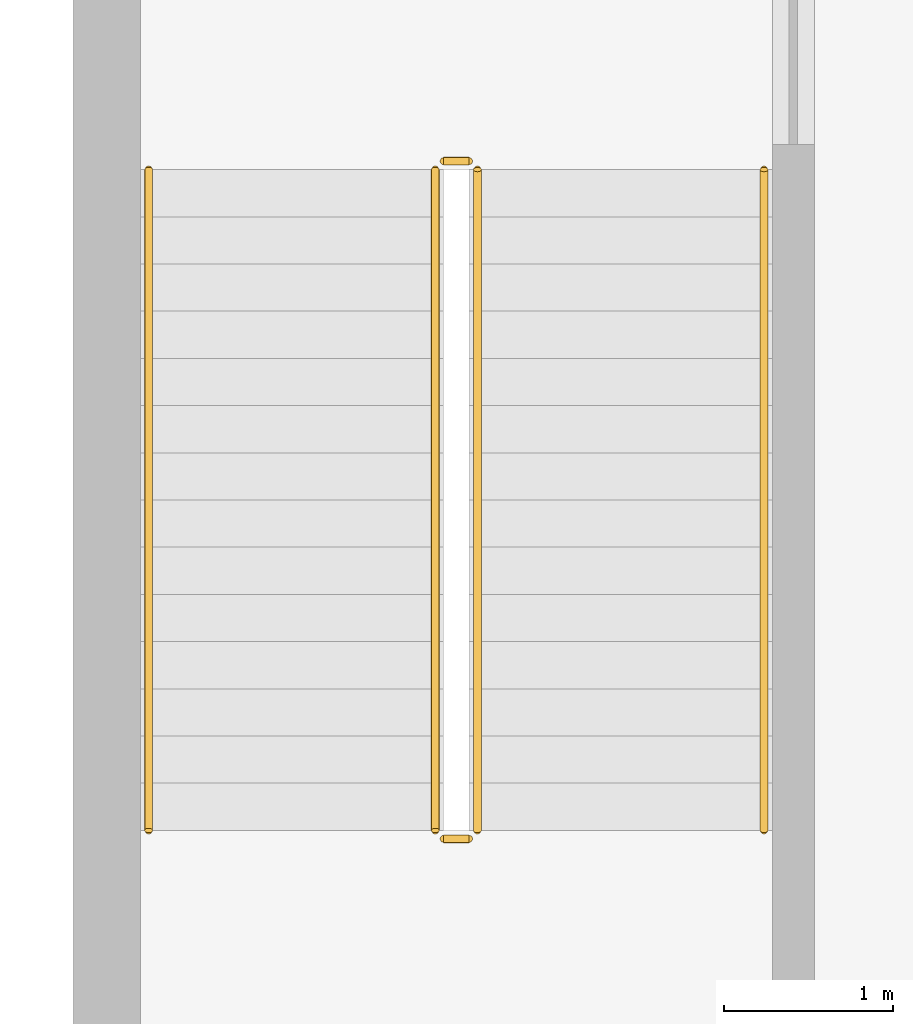
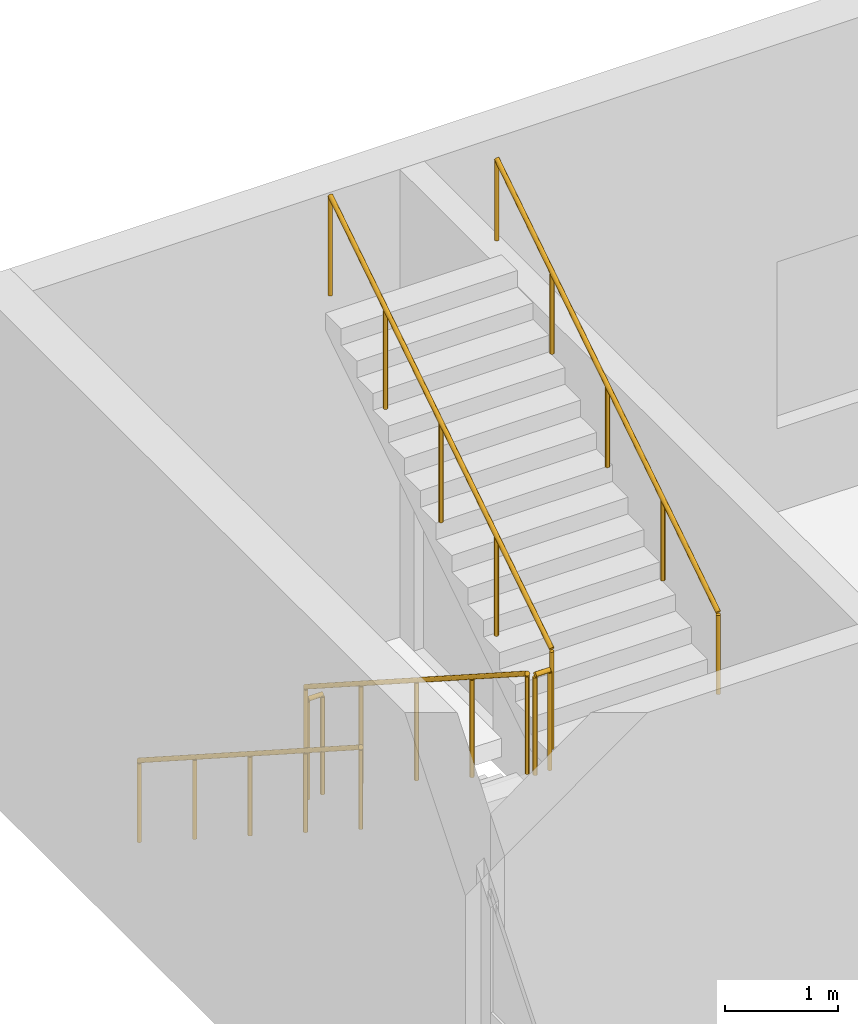
# One storey, part 43 of 44: 6 railings.
"""IFC4 building model written with IfcOpenShell, lengths in metres."""

import ifcopenshell
import ifcopenshell.guid

model = None  # the IFC model being written
_history = None  # IfcOwnerHistory: only IFC2X3 demands one
_inside = {}  # id of a spatial element -> (the spatial element, [elements in it])
_under = {}  # id of a project, library or spatial element -> (it, [spatial elements below it])
_declared = {}  # id of a project -> (the project, [libraries it declares])
_typed = {}  # id of a type object -> (the type object, [elements of that type])
_made_of = {}  # id of a material, layer set ... -> (it, [elements and type objects made of it])


def new_model(schema):
    """Start an empty IFC model of exactly this schema.

    Asked for "IFC4X3", IfcOpenShell would pick the latest addendum, in which some entities
    have other attributes; the version numbers below select the first issue.
    IFC2X3 requires an IfcOwnerHistory on every rooted entity: one is made here for all.
    """
    global model, _history
    if schema == "IFC4X3":
        model = ifcopenshell.file(schema_version=(4, 3, 0, 0))
    else:
        model = ifcopenshell.file(schema=schema)
    _inside.clear()
    _under.clear()
    _declared.clear()
    _typed.clear()
    _made_of.clear()
    _history = None
    if model.schema == "IFC2X3":
        org = make("IfcOrganization", Name="unknown")
        user = make(
            "IfcPersonAndOrganization",
            ThePerson=make("IfcPerson", FamilyName="unknown"),
            TheOrganization=org,
        )
        app = make(
            "IfcApplication",
            ApplicationDeveloper=org,
            Version="unknown",
            ApplicationFullName="unknown",
            ApplicationIdentifier="unknown",
        )
        _history = make(
            "IfcOwnerHistory",
            OwningUser=user,
            OwningApplication=app,
            ChangeAction="ADDED",
            CreationDate=0,
        )
    return model


def make(cls, **values):
    """One entity of the class cls with the attributes given. An attribute that is None is left unset."""
    return model.create_entity(
        cls, **{name: value for name, value in values.items() if value is not None}
    )


def rooted(cls, **values):
    """An entity with a GlobalId (a new one), such as an element, a storey or a relation."""
    return make(cls, GlobalId=ifcopenshell.guid.new(), OwnerHistory=_history, **values)


def si_unit(unit_type, name, prefix=None):
    """IfcSIUnit, for example si_unit("LENGTHUNIT", "METRE", prefix="MILLI")."""
    return make("IfcSIUnit", UnitType=unit_type, Prefix=prefix, Name=name)


def assignment(units):
    """IfcUnitAssignment: the units of a project."""
    return None if units is None else make("IfcUnitAssignment", Units=units)


def point(xyz):
    """IfcCartesianPoint."""
    return None if xyz is None else make("IfcCartesianPoint", Coordinates=xyz)


def direction(xyz):
    """IfcDirection."""
    return None if xyz is None else make("IfcDirection", DirectionRatios=xyz)


def frame(location, z_axis=None, x_axis=None):
    """IfcAxis2Placement3D, a coordinate frame: its origin and axes. An axis left out is left unset."""
    return make(
        "IfcAxis2Placement3D",
        Location=point(location),
        Axis=direction(z_axis),
        RefDirection=direction(x_axis),
    )


def frame_2d(location, x_axis=None):
    """IfcAxis2Placement2D, a coordinate frame in the plane: its origin and x axis."""
    return make(
        "IfcAxis2Placement2D", Location=point(location), RefDirection=direction(x_axis)
    )


def origin():
    """The frame at (0, 0, 0) with its axes left unset."""
    return frame((0.0, 0.0, 0.0))


def origin_2d():
    """The frame at (0, 0) in the plane with its x axis left unset."""
    return frame_2d((0.0, 0.0))


def place(relative_to, where):
    """IfcLocalPlacement: puts the frame where relative to a parent placement (None: the world)."""
    return make(
        "IfcLocalPlacement", PlacementRelTo=relative_to, RelativePlacement=where
    )


def context(
    kind, dimensions, precision=None, world=None, true_north=None, identifier=None
):
    """IfcGeometricRepresentationContext, for example the 3D "Model" context."""
    return make(
        "IfcGeometricRepresentationContext",
        ContextIdentifier=identifier,
        ContextType=kind,
        CoordinateSpaceDimension=dimensions,
        Precision=precision,
        WorldCoordinateSystem=world,
        TrueNorth=true_north,
    )


def subcontext(parent, identifier, kind, view, scale=None):
    """IfcGeometricRepresentationSubContext, for example "Body" below "Model"."""
    return make(
        "IfcGeometricRepresentationSubContext",
        ContextIdentifier=identifier,
        ContextType=kind,
        ParentContext=parent,
        TargetScale=scale,
        TargetView=view,
    )


def project(units=None, contexts=None):
    """IfcProject with its units and contexts."""
    return rooted(
        "IfcProject",
        Name="project",
        RepresentationContexts=contexts,
        UnitsInContext=assignment(units),
    )


def spatial(cls, under=None, at=None, **own):
    """A site, building, storey or space (cls), placed at a placement, below another one or the project."""
    s = rooted(cls, ObjectPlacement=at, **own)
    if under is not None:
        _under.setdefault(under.id(), (under, []))[1].append(s)
    return s


def profile(cls, at=None, kind="AREA", **sizes):
    """A parametric profile (cls). Its sizes go by their IFC names, for example OverallWidth=200.0."""
    return make(cls, ProfileType=kind, Position=at, **sizes)


def circle(**sizes):
    """IfcCircleProfileDef."""
    return profile("IfcCircleProfileDef", **sizes)


def extrude(swept, where, along, depth):
    """IfcExtrudedAreaSolid: the profile swept, set in the frame where, extruded along a direction by depth."""
    return make(
        "IfcExtrudedAreaSolid",
        SweptArea=swept,
        Position=where,
        ExtrudedDirection=direction(along),
        Depth=depth,
    )


def shape(context_of_items, identifier, shape_type, items):
    """IfcShapeRepresentation: the items that make up one representation, for example the "Body"."""
    return make(
        "IfcShapeRepresentation",
        ContextOfItems=context_of_items,
        RepresentationIdentifier=identifier,
        RepresentationType=shape_type,
        Items=items,
    )


def material(Name=None, Category=None):
    """IfcMaterial."""
    return make("IfcMaterial", Name=Name, Category=Category)


def made_of(thing, what):
    """Note that an element or type object is made of a material, layer set ...; save() writes the relation."""
    if what is not None:
        _made_of.setdefault(what.id(), (what, []))[1].append(thing)
    return thing


def type_object(cls, material=None, **own):
    """A type object (cls), such as IfcWallType, which elements share."""
    return made_of(rooted(cls, **own), material)


def element(
    cls,
    number,
    at=None,
    inside=None,
    cuts=None,
    type_object=None,
    material=None,
    context=None,
    identifier="Body",
    shape_type=None,
    held_by="IfcProductDefinitionShape",
    body=None,
    shapes=None,
    **own,
):
    """One element of the class cls, such as IfcWall. Its Tag is "e" and its number.

    at: its placement. inside: the storey or other place that contains it. cuts: it is an
    opening in that element (IfcRelVoidsElement). A single representation is given by context,
    identifier, shape_type and body (its items); several are given by shapes. held_by: the class
    of the entity that holds the representations. save() writes the other relations.
    """
    e = rooted(cls, Tag="e%d" % number, ObjectPlacement=at, **own)
    if body is not None:
        shapes = [shape(context, identifier, shape_type, body)]
    if shapes is not None:
        e.Representation = make(held_by, Representations=shapes)
    if inside is not None:
        _inside.setdefault(inside.id(), (inside, []))[1].append(e)
    if cuts is not None:
        rooted(
            "IfcRelVoidsElement", RelatingBuildingElement=cuts, RelatedOpeningElement=e
        )
    if type_object is not None:
        _typed.setdefault(type_object.id(), (type_object, []))[1].append(e)
    return made_of(e, material)


def aggregate(whole, parts):
    """IfcRelAggregates: a whole, such as a stair, and the parts it consists of."""
    return rooted("IfcRelAggregates", RelatingObject=whole, RelatedObjects=parts)


def save(model, path):
    """Write the relations noted so far, then the file.

    IfcRelAggregates (storeys below a building ...), IfcRelContainedInSpatialStructure (elements
    in a storey), IfcRelDefinesByType, IfcRelAssociatesMaterial and IfcRelDeclares: one each for
    every whole, place, type object, material and project.
    """
    for whole, parts in _under.values():
        aggregate(whole, parts)
    for where, things in _inside.values():
        rooted(
            "IfcRelContainedInSpatialStructure",
            RelatedElements=things,
            RelatingStructure=where,
        )
    for kind, things in _typed.values():
        rooted("IfcRelDefinesByType", RelatedObjects=things, RelatingType=kind)
    for what, things in _made_of.values():
        rooted("IfcRelAssociatesMaterial", RelatedObjects=things, RelatingMaterial=what)
    for by, libraries in _declared.values():
        rooted("IfcRelDeclares", RelatingContext=by, RelatedDefinitions=libraries)
    model.write(path)


model = new_model("IFC4")

# Units and contexts
model_context = context("Model", 3, precision=1e-05, world=origin(), true_north=direction((0.0, 1.0)))
body_context = subcontext(model_context, "Body", "Model", "MODEL_VIEW")
ifc_project = project(units=[si_unit("LENGTHUNIT", "METRE"), si_unit("AREAUNIT", "SQUARE_METRE"), si_unit("VOLUMEUNIT", "CUBIC_METRE"), si_unit("PLANEANGLEUNIT", "RADIAN"), si_unit("MASSUNIT", "GRAM", prefix="KILO")], contexts=[model_context])

# Site, building, storey
site_placement = place(None, origin())
site = spatial("IfcSite", under=ifc_project, at=site_placement, CompositionType="ELEMENT")
building_placement = place(site_placement, origin())
building = spatial("IfcBuilding", under=site, at=building_placement, Name="Hunhe Ridgeline Campus", CompositionType="ELEMENT")
storey_placement = place(building_placement, frame((0.0, 0.0, 6.0)))
storey = spatial("IfcBuildingStorey", under=building, at=storey_placement, Name="L01", CompositionType="ELEMENT", Elevation=6.0)

# Railings
ifc_material = material(Name="Steel Q235", Category="steel")
railing_type_1 = type_object("IfcRailingType", Name="Hall stair guard 1100", PredefinedType="GUARDRAIL", material=ifc_material)
railing_1_placement = place(storey_placement, frame((152.14990234375, 74.300048828125, 0.179931640625)))
element("IfcRailing", 1, at=railing_1_placement, inside=storey, type_object=railing_type_1, Name="L01 HS2 stair guard 1", PredefinedType="GUARDRAIL", context=body_context, shape_type="SweptSolid", body=[
    extrude(circle(Radius=0.02392578125, at=origin_2d()), frame((0.0, 0.0, 1.076171875), z_axis=(0.0, -0.841186985886, 0.540744352514), x_axis=(1.0, 0.0, 0.0)), (0.0, 0.0, 1.0), 4.660400390625),
    extrude(circle(Radius=0.02099609375, at=origin_2d()), origin(), (0.0, 0.0, 1.0), 1.052001953125),
    extrude(circle(Radius=0.02099609375, at=origin_2d()), frame((0.0, -0.97998046875, 0.6298828125)), (0.0, 0.0, 1.0), 1.052001953125),
    extrude(circle(Radius=0.02099609375, at=origin_2d()), frame((0.0, -1.9599609375, 1.260009765625)), (0.0, 0.0, 1.0), 1.052001953125),
    extrude(circle(Radius=0.02099609375, at=origin_2d()), frame((0.0, -2.940185546875, 1.89013671875)), (0.0, 0.0, 1.0), 1.052001953125),
    extrude(circle(Radius=0.02099609375, at=origin_2d()), frame((0.0, -3.920166015625, 2.52001953125)), (0.0, 0.0, 1.0), 1.052001953125),
])
railing_2_placement = place(storey_placement, frame((152.199951171875, 70.330078125, 2.699951171875)))
element("IfcRailing", 2, at=railing_2_placement, inside=storey, type_object=railing_type_1, Name="L01 HS2 stair guard 2", PredefinedType="GUARDRAIL", context=body_context, shape_type="SweptSolid", body=[
    extrude(circle(Radius=0.02392578125, at=origin_2d()), frame((0.0, 0.0, 1.076171875), z_axis=(1.0, 0.0, 0.0), x_axis=(0.0, 1.0, 0.0)), (0.0, 0.0, 1.0), 0.150146484375),
    extrude(circle(Radius=0.02099609375, at=origin_2d()), origin(), (0.0, 0.0, 1.0), 1.052001953125),
    extrude(circle(Radius=0.02099609375, at=origin_2d()), frame((0.150146484375, 0.0, 0.0)), (0.0, 0.0, 1.0), 1.052001953125),
])
railing_3_placement = place(storey_placement, frame((152.39990234375, 70.3798828125, 2.8798828125)))
element("IfcRailing", 3, at=railing_3_placement, inside=storey, type_object=railing_type_1, Name="L01 HS2 stair guard 3", PredefinedType="GUARDRAIL", context=body_context, shape_type="SweptSolid", body=[
    extrude(circle(Radius=0.02392578125, at=origin_2d()), frame((0.0, 0.0, 1.076171875), z_axis=(0.0, 0.841186985886, 0.540744352514), x_axis=(-1.0, 0.0, 0.0)), (0.0, 0.0, 1.0), 4.660400390625),
    extrude(circle(Radius=0.02099609375, at=origin_2d()), origin(), (0.0, 0.0, 1.0), 1.052001953125),
    extrude(circle(Radius=0.02099609375, at=origin_2d()), frame((0.0, 0.97998046875, 0.6298828125)), (0.0, 0.0, 1.0), 1.052001953125),
    extrude(circle(Radius=0.02099609375, at=origin_2d()), frame((0.0, 1.9599609375, 1.260009765625)), (0.0, 0.0, 1.0), 1.052001953125),
    extrude(circle(Radius=0.02099609375, at=origin_2d()), frame((0.0, 2.940185546875, 1.89013671875)), (0.0, 0.0, 1.0), 1.052001953125),
    extrude(circle(Radius=0.02099609375, at=origin_2d()), frame((0.0, 3.920166015625, 2.52001953125)), (0.0, 0.0, 1.0), 1.052001953125),
])
railing_4_placement = place(storey_placement, frame((152.199951171875, 74.35009765625, 0.0)))
element("IfcRailing", 4, at=railing_4_placement, inside=storey, type_object=railing_type_1, Name="L01 HS2 stair guard 4", PredefinedType="GUARDRAIL", context=body_context, shape_type="SweptSolid", body=[
    extrude(circle(Radius=0.02392578125, at=origin_2d()), frame((0.0, 0.0, 1.076171875), z_axis=(1.0, 0.0, 0.0), x_axis=(0.0, 1.0, 0.0)), (0.0, 0.0, 1.0), 0.150146484375),
    extrude(circle(Radius=0.02099609375, at=origin_2d()), origin(), (0.0, 0.0, 1.0), 1.052001953125),
    extrude(circle(Radius=0.02099609375, at=origin_2d()), frame((0.150146484375, 0.0, 0.0)), (0.0, 0.0, 1.0), 1.052001953125),
])
railing_type_2 = type_object("IfcRailingType", Name="Hall stair handrail", PredefinedType="HANDRAIL", material=ifc_material)
railing_5_placement = place(storey_placement, frame((150.449951171875, 74.300048828125, 0.179931640625)))
element("IfcRailing", 5, at=railing_5_placement, inside=storey, type_object=railing_type_2, Name="L01 HS2 stair handrail 1", PredefinedType="HANDRAIL", context=body_context, shape_type="SweptSolid", body=[
    extrude(circle(Radius=0.02392578125, at=origin_2d()), frame((0.0, 0.0, 0.8759765625), z_axis=(0.0, -0.841186985886, 0.540744352514), x_axis=(1.0, 0.0, 0.0)), (0.0, 0.0, 1.0), 4.660400390625),
    extrude(circle(Radius=0.02099609375, at=origin_2d()), origin(), (0.0, 0.0, 1.0), 0.851806640625),
    extrude(circle(Radius=0.02099609375, at=origin_2d()), frame((0.0, -0.97998046875, 0.6298828125)), (0.0, 0.0, 1.0), 0.851806640625),
    extrude(circle(Radius=0.02099609375, at=origin_2d()), frame((0.0, -1.9599609375, 1.260009765625)), (0.0, 0.0, 1.0), 0.851806640625),
    extrude(circle(Radius=0.02099609375, at=origin_2d()), frame((0.0, -2.940185546875, 1.89013671875)), (0.0, 0.0, 1.0), 0.851806640625),
    extrude(circle(Radius=0.02099609375, at=origin_2d()), frame((0.0, -3.920166015625, 2.52001953125)), (0.0, 0.0, 1.0), 0.851806640625),
])
railing_6_placement = place(storey_placement, frame((154.10009765625, 70.3798828125, 2.8798828125)))
element("IfcRailing", 6, at=railing_6_placement, inside=storey, type_object=railing_type_2, Name="L01 HS2 stair handrail 2", PredefinedType="HANDRAIL", context=body_context, shape_type="SweptSolid", body=[
    extrude(circle(Radius=0.02392578125, at=origin_2d()), frame((0.0, 0.0, 0.8759765625), z_axis=(0.0, 0.841186985886, 0.540744352514), x_axis=(-1.0, 0.0, 0.0)), (0.0, 0.0, 1.0), 4.660400390625),
    extrude(circle(Radius=0.02099609375, at=origin_2d()), origin(), (0.0, 0.0, 1.0), 0.851806640625),
    extrude(circle(Radius=0.02099609375, at=origin_2d()), frame((0.0, 0.97998046875, 0.6298828125)), (0.0, 0.0, 1.0), 0.851806640625),
    extrude(circle(Radius=0.02099609375, at=origin_2d()), frame((0.0, 1.9599609375, 1.260009765625)), (0.0, 0.0, 1.0), 0.851806640625),
    extrude(circle(Radius=0.02099609375, at=origin_2d()), frame((0.0, 2.940185546875, 1.89013671875)), (0.0, 0.0, 1.0), 0.851806640625),
    extrude(circle(Radius=0.02099609375, at=origin_2d()), frame((0.0, 3.920166015625, 2.52001953125)), (0.0, 0.0, 1.0), 0.851806640625),
])

save(model, "model.ifc")
